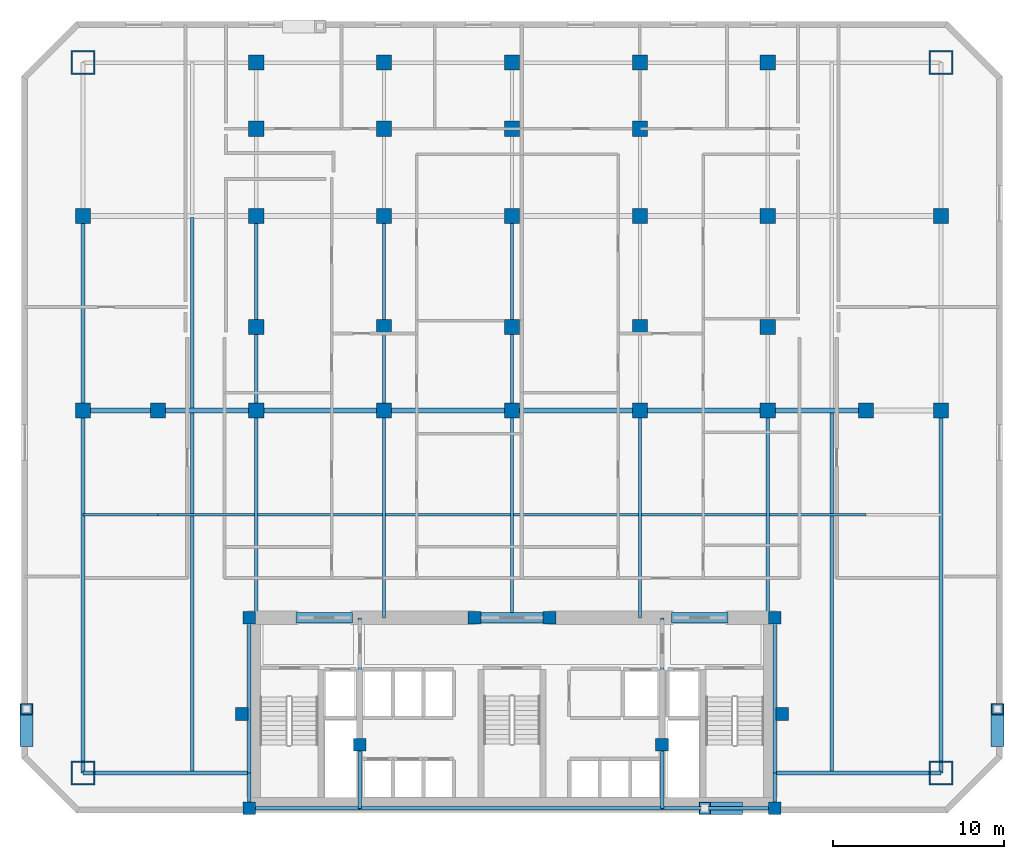
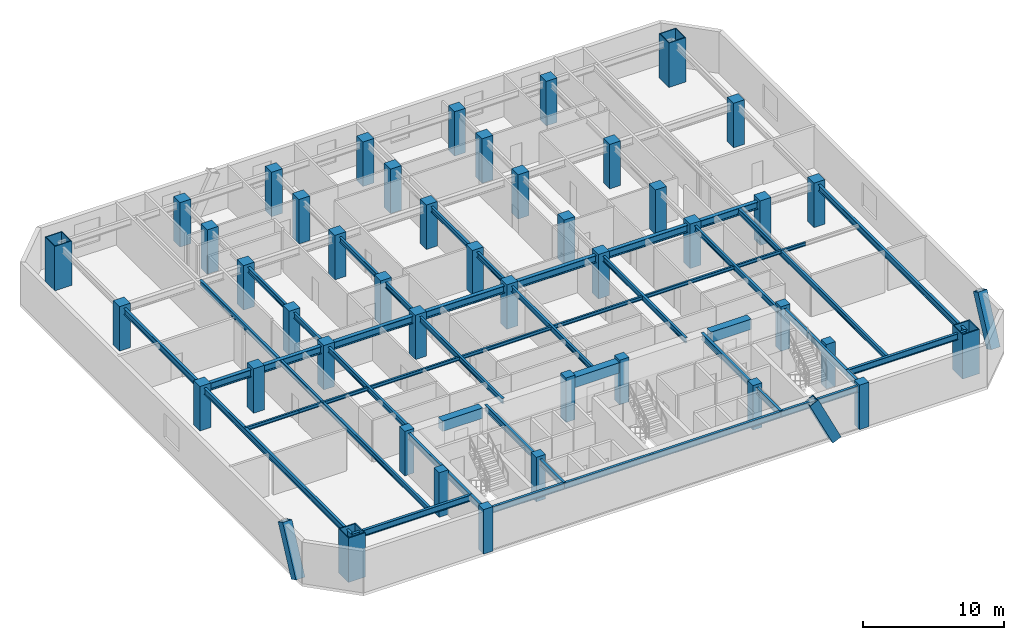
# One storey, part 1 of 8: 44 beams, 44 columns, 3 members.
"""IFC4 building model written with IfcOpenShell, lengths in metres."""

from ifc_helpers import new_model, si_unit, direction, frame, origin, origin_2d, place, context, subcontext, project, spatial, rectangle, hollow_rectangle, i_section, extrude, material, material_profile, profile_set, type_object, element, save


model = new_model("IFC4")

# Units and contexts
model_context = context("Model", 3, precision=1e-05, world=origin(), true_north=direction((0.0, 1.0)))
body_context = subcontext(model_context, "Body", "Model", "MODEL_VIEW")
ifc_project = project(units=[si_unit("LENGTHUNIT", "METRE"), si_unit("AREAUNIT", "SQUARE_METRE"), si_unit("VOLUMEUNIT", "CUBIC_METRE"), si_unit("PLANEANGLEUNIT", "RADIAN"), si_unit("MASSUNIT", "GRAM", prefix="KILO")], contexts=[model_context])

# Site, building, storey
site_placement = place(None, origin())
site = spatial("IfcSite", under=ifc_project, at=site_placement, CompositionType="ELEMENT")
building_placement = place(site_placement, origin())
building = spatial("IfcBuilding", under=site, at=building_placement, Name="Ventersveld Concourse Tower", CompositionType="ELEMENT")
storey_placement = place(building_placement, frame((0.0, 0.0, 33.64990234375)))
storey = spatial("IfcBuildingStorey", under=building, at=storey_placement, Name="L07", CompositionType="ELEMENT", Elevation=33.64990234375)

# Columns
ifc_material_1 = material(Name="Concrete C50/60", Category="concrete")
ifc_material_profile_1 = material_profile(ifc_material_1, rectangle(XDim=0.75, YDim=0.75, at=origin_2d()), Name="RC 750x750")
ifc_profile_set_1 = profile_set([ifc_material_profile_1], Name="Concrete C50/60")
column_type_1 = type_object("IfcColumnType", Name="COL-RC750", PredefinedType="COLUMN", material=ifc_profile_set_1)
for number, where, z_axis, x_axis, name in (
    (1, (13.35009765625, 0.280029296875, 0.0), (0.0, 0.0, 1.0), (1.0, 0.0, 0.0), "L07 Core Spine Column CC-SW"),
    (2, (44.14990234375, 0.280029296875, 0.0), (0.0, 0.0, 1.0), (1.0, 0.0, 0.0), "L07 Core Spine Column CC-SE"),
    (3, (13.35009765625, 11.449951171875, 0.0), (0.0, 0.0, 1.0), (1.0, 0.0, 0.0), "L07 Core Spine Column CC-NW"),
    (4, (44.14990234375, 11.449951171875, 0.0), (0.0, 0.0, 1.0), (1.0, 0.0, 0.0), "L07 Core Spine Column CC-NE"),
    (5, (19.820068359375, 4.0, 0.0), (0.0, 0.0, 1.0), (1.0, 0.0, 0.0), "L07 Core Spine Column CM-1"),
    (6, (37.550048828125, 4.0, 0.0), (0.0, 0.0, 1.0), (1.0, 0.0, 0.0), "L07 Core Spine Column CM-2"),
    (7, (26.550048828125, 11.449951171875, 0.0), (0.0, 0.0, 1.0), (1.0, 0.0, 0.0), "L07 Core Spine Column CM-3"),
    (8, (30.949951171875, 11.449951171875, 0.0), (0.0, 0.0, 1.0), (1.0, 0.0, 0.0), "L07 Core Spine Column CM-4"),
):
    element("IfcColumn", number, at=place(storey_placement, frame(where, z_axis=z_axis, x_axis=x_axis)), inside=storey, type_object=column_type_1, Name=name, PredefinedType="COLUMN", context=body_context, shape_type="SweptSolid", body=[
        extrude(rectangle(XDim=0.75, YDim=0.75, at=origin_2d()), origin(), (0.0, 0.0, 1.0), 3.85009765625),
    ])
ifc_material_2 = material(Name="Concrete C60/75", Category="concrete")
ifc_material_profile_2 = material_profile(ifc_material_2, rectangle(XDim=0.89990234375, YDim=0.89990234375, at=origin_2d()), Name="RC 900x900")
ifc_profile_set_2 = profile_set([ifc_material_profile_2], Name="Concrete C60/75")
column_type_2 = type_object("IfcColumnType", Name="COL-RC900", PredefinedType="COLUMN", material=ifc_profile_set_2)
for number, where, z_axis, x_axis, name in (
    (9, (3.60009765625, 23.60009765625, 0.0), (0.0, 0.0, 1.0), (1.0, 0.0, 0.0), "L07 Interior Gravity Column X=3.60 Y=23.60"),
    (10, (8.0, 23.60009765625, 0.0), (0.0, 0.0, 1.0), (1.0, 0.0, 0.0), "L07 Interior Gravity Column X=8.00 Y=23.60"),
    (11, (13.75, 23.60009765625, 0.0), (0.0, 0.0, 1.0), (1.0, 0.0, 0.0), "L07 Interior Gravity Column X=13.75 Y=23.60"),
    (12, (21.25, 23.60009765625, 0.0), (0.0, 0.0, 1.0), (1.0, 0.0, 0.0), "L07 Interior Gravity Column X=21.25 Y=23.60"),
    (13, (28.75, 23.60009765625, 0.0), (0.0, 0.0, 1.0), (1.0, 0.0, 0.0), "L07 Interior Gravity Column X=28.75 Y=23.60"),
    (14, (36.25, 23.60009765625, 0.0), (0.0, 0.0, 1.0), (1.0, 0.0, 0.0), "L07 Interior Gravity Column X=36.25 Y=23.60"),
    (15, (43.75, 23.60009765625, 0.0), (0.0, 0.0, 1.0), (1.0, 0.0, 0.0), "L07 Interior Gravity Column X=43.75 Y=23.60"),
    (16, (49.5, 23.60009765625, 0.0), (0.0, 0.0, 1.0), (1.0, 0.0, 0.0), "L07 Interior Gravity Column X=49.50 Y=23.60"),
    (17, (53.89990234375, 23.60009765625, 0.0), (0.0, 0.0, 1.0), (1.0, 0.0, 0.0), "L07 Interior Gravity Column X=53.90 Y=23.60"),
    (18, (13.75, 28.5, 0.0), (0.0, 0.0, 1.0), (1.0, 0.0, 0.0), "L07 Upper-North Gravity Column X=13.75 Y=28.50"),
    (19, (21.25, 28.5, 0.0), (0.0, 0.0, 1.0), (1.0, 0.0, 0.0), "L07 Upper-North Gravity Column X=21.25 Y=28.50"),
    (20, (28.75, 28.5, 0.0), (0.0, 0.0, 1.0), (1.0, 0.0, 0.0), "L07 Upper-North Gravity Column X=28.75 Y=28.50"),
    (21, (36.25, 28.5, 0.0), (0.0, 0.0, 1.0), (1.0, 0.0, 0.0), "L07 Upper-North Gravity Column X=36.25 Y=28.50"),
    (22, (43.75, 28.5, 0.0), (0.0, 0.0, 1.0), (1.0, 0.0, 0.0), "L07 Upper-North Gravity Column X=43.75 Y=28.50"),
    (23, (3.60009765625, 35.0, 0.0), (0.0, 0.0, 1.0), (1.0, 0.0, 0.0), "L07 Flank Column X=3.60 Y=35.00"),
    (24, (53.89990234375, 35.0, 0.0), (0.0, 0.0, 1.0), (1.0, 0.0, 0.0), "L07 Flank Column X=53.90 Y=35.00"),
    (25, (13.75, 44.0, 0.0), (0.0, 0.0, 1.0), (1.0, 0.0, 0.0), "L07 North Perimeter Column X=13.75 Y=44.00"),
    (26, (21.25, 44.0, 0.0), (0.0, 0.0, 1.0), (1.0, 0.0, 0.0), "L07 North Perimeter Column X=21.25 Y=44.00"),
    (27, (28.75, 44.0, 0.0), (0.0, 0.0, 1.0), (1.0, 0.0, 0.0), "L07 North Perimeter Column X=28.75 Y=44.00"),
    (28, (36.25, 44.0, 0.0), (0.0, 0.0, 1.0), (1.0, 0.0, 0.0), "L07 North Perimeter Column X=36.25 Y=44.00"),
    (29, (43.75, 44.0, 0.0), (0.0, 0.0, 1.0), (1.0, 0.0, 0.0), "L07 North Perimeter Column X=43.75 Y=44.00"),
    (30, (13.75, 40.1201171875, 0.0), (0.0, 0.0, 1.0), (1.0, 0.0, 0.0), "L07 North Brace Node Column X=13.75 Y=40.12"),
    (31, (21.25, 40.1201171875, 0.0), (0.0, 0.0, 1.0), (1.0, 0.0, 0.0), "L07 North Brace Node Column X=21.25 Y=40.12"),
    (32, (28.75, 40.1201171875, 0.0), (0.0, 0.0, 1.0), (1.0, 0.0, 0.0), "L07 North Brace Node Column X=28.75 Y=40.12"),
    (33, (36.25, 40.1201171875, 0.0), (0.0, 0.0, 1.0), (1.0, 0.0, 0.0), "L07 North Brace Node Column X=36.25 Y=40.12"),
    (34, (13.75, 35.0, 0.0), (0.0, 0.0, 1.0), (1.0, 0.0, 0.0), "L07 Mid-North Column X=13.75 Y=35.00"),
    (35, (21.25, 35.0, 0.0), (0.0, 0.0, 1.0), (1.0, 0.0, 0.0), "L07 Mid-North Column X=21.25 Y=35.00"),
    (36, (28.75, 35.0, 0.0), (0.0, 0.0, 1.0), (1.0, 0.0, 0.0), "L07 Mid-North Column X=28.75 Y=35.00"),
    (37, (36.25, 35.0, 0.0), (0.0, 0.0, 1.0), (1.0, 0.0, 0.0), "L07 Mid-North Column X=36.25 Y=35.00"),
    (38, (43.75, 35.0, 0.0), (0.0, 0.0, 1.0), (1.0, 0.0, 0.0), "L07 Mid-North Column X=43.75 Y=35.00"),
):
    element("IfcColumn", number, at=place(storey_placement, frame(where, z_axis=z_axis, x_axis=x_axis)), inside=storey, type_object=column_type_2, Name=name, PredefinedType="COLUMN", context=body_context, shape_type="SweptSolid", body=[
        extrude(rectangle(XDim=0.89990234375, YDim=0.89990234375, at=origin_2d()), origin(), (0.0, 0.0, 1.0), 3.85009765625),
    ])
ifc_material_3 = material(Name="Structural steel S460ML", Category="steel")
ifc_material_profile_3 = material_profile(ifc_material_3, hollow_rectangle(XDim=1.39990234375, YDim=1.39990234375, WallThickness=0.080078125, at=origin_2d()), Name="BOX 1400x1400x80")
ifc_profile_set_3 = profile_set([ifc_material_profile_3], Name="Structural steel S460ML")
column_type_3 = type_object("IfcColumnType", Name="MC-1400", PredefinedType="USERDEFINED", material=ifc_profile_set_3)
for number, where, z_axis, x_axis, name in (
    (39, (3.60009765625, 2.35009765625, 0.0), (0.0, 0.0, 1.0), (1.0, 0.0, 0.0), "L07 Corner Mega-Column MC-SW"),
    (40, (53.89990234375, 2.35009765625, 0.0), (0.0, 0.0, 1.0), (1.0, 0.0, 0.0), "L07 Corner Mega-Column MC-SE"),
    (41, (53.89990234375, 44.0, 0.0), (0.0, 0.0, 1.0), (1.0, 0.0, 0.0), "L07 Corner Mega-Column MC-NE"),
    (42, (3.60009765625, 44.0, 0.0), (0.0, 0.0, 1.0), (1.0, 0.0, 0.0), "L07 Corner Mega-Column MC-NW"),
):
    element("IfcColumn", number, at=place(storey_placement, frame(where, z_axis=z_axis, x_axis=x_axis)), inside=storey, type_object=column_type_3, Name=name, ObjectType="MEGA_COLUMN", PredefinedType="USERDEFINED", context=body_context, shape_type="SweptSolid", body=[
        extrude(hollow_rectangle(XDim=1.39990234375, YDim=1.39990234375, WallThickness=0.080078125, at=origin_2d()), origin(), (0.0, 0.0, 1.0), 3.85009765625),
    ])
ifc_material_profile_4 = material_profile(ifc_material_1, rectangle(XDim=0.75, YDim=0.75, at=origin_2d()), Name="RC 750x750")
ifc_profile_set_4 = profile_set([ifc_material_profile_4], Name="Concrete C50/60")
column_type_4 = type_object("IfcColumnType", Name="PIL-RC750", PredefinedType="PILASTER", material=ifc_profile_set_4)
for number, where, z_axis, x_axis, name in (
    (43, (12.89990234375, 5.800048828125, 0.0), (0.0, 0.0, 1.0), (1.0, 0.0, 0.0), "L07 Core Engaged Pilaster PIL-W"),
    (44, (44.60009765625, 5.800048828125, 0.0), (0.0, 0.0, 1.0), (1.0, 0.0, 0.0), "L07 Core Engaged Pilaster PIL-E"),
):
    element("IfcColumn", number, at=place(storey_placement, frame(where, z_axis=z_axis, x_axis=x_axis)), inside=storey, type_object=column_type_4, Name=name, PredefinedType="PILASTER", context=body_context, shape_type="SweptSolid", body=[
        extrude(rectangle(XDim=0.75, YDim=0.75, at=origin_2d()), origin(), (0.0, 0.0, 1.0), 3.85009765625),
    ])

# Beams
ifc_material_4 = material(Name="Structural steel S355J2", Category="steel")
ifc_material_profile_5 = material_profile(ifc_material_4, i_section(OverallWidth=0.19140625, OverallDepth=0.4599609375, WebThickness=0.010009765625, FlangeThickness=0.01611328125, FilletRadius=0.01025390625, at=origin_2d()), Name="UB 457x191x82")
ifc_profile_set_5 = profile_set([ifc_material_profile_5], Name="Structural steel S355J2")
beam_type_1 = type_object("IfcBeamType", Name="BM-UB457H", PredefinedType="BEAM", material=ifc_profile_set_5)
beam_1_placement = place(storey_placement, frame((10.0, 2.35009765625, 3.3701171875), z_axis=(0.0, 1.0, 0.0), x_axis=(-1.0, 0.0, 0.0)))
element("IfcBeam", 45, at=beam_1_placement, inside=storey, type_object=beam_type_1, Name="L07 N-S Composite Floor Beam South X=10.00", PredefinedType="BEAM", context=body_context, shape_type="SweptSolid", body=[
    extrude(i_section(OverallWidth=0.19140625, OverallDepth=0.4599609375, WebThickness=0.010009765625, FlangeThickness=0.01611328125, FilletRadius=0.01025390625, at=origin_2d()), origin(), (0.0, 0.0, 1.0), 21.15478515625),
])
beam_2_placement = place(storey_placement, frame((10.0, 23.695068359375, 3.3701171875), z_axis=(0.0, 1.0, 0.0), x_axis=(-1.0, 0.0, 0.0)))
element("IfcBeam", 46, at=beam_2_placement, inside=storey, type_object=beam_type_1, Name="L07 N-S Composite Floor Beam Mid X=10.00", PredefinedType="BEAM", context=body_context, shape_type="SweptSolid", body=[
    extrude(i_section(OverallWidth=0.19140625, OverallDepth=0.4599609375, WebThickness=0.010009765625, FlangeThickness=0.01611328125, FilletRadius=0.01025390625, at=origin_2d()), origin(), (0.0, 0.0, 1.0), 11.2099609375),
])
beam_3_placement = place(storey_placement, frame((13.75, 11.449951171875, 3.3701171875), z_axis=(0.0, 1.0, 0.0), x_axis=(-1.0, 0.0, 0.0)))
element("IfcBeam", 47, at=beam_3_placement, inside=storey, type_object=beam_type_1, Name="L07 N-S Composite Floor Beam South X=13.75", PredefinedType="BEAM", context=body_context, shape_type="SweptSolid", body=[
    extrude(i_section(OverallWidth=0.19140625, OverallDepth=0.4599609375, WebThickness=0.010009765625, FlangeThickness=0.01611328125, FilletRadius=0.01025390625, at=origin_2d()), origin(), (0.0, 0.0, 1.0), 12.150146484375),
])
beam_4_placement = place(storey_placement, frame((13.75, 23.60009765625, 3.3701171875), z_axis=(0.0, 1.0, 0.0), x_axis=(-1.0, 0.0, 0.0)))
element("IfcBeam", 48, at=beam_4_placement, inside=storey, type_object=beam_type_1, Name="L07 N-S Composite Floor Beam Mid X=13.75", PredefinedType="BEAM", context=body_context, shape_type="SweptSolid", body=[
    extrude(i_section(OverallWidth=0.19140625, OverallDepth=0.4599609375, WebThickness=0.010009765625, FlangeThickness=0.01611328125, FilletRadius=0.01025390625, at=origin_2d()), origin(), (0.0, 0.0, 1.0), 11.39990234375),
])
beam_5_placement = place(storey_placement, frame((21.25, 11.449951171875, 3.3701171875), z_axis=(0.0, 1.0, 0.0), x_axis=(-1.0, 0.0, 0.0)))
element("IfcBeam", 49, at=beam_5_placement, inside=storey, type_object=beam_type_1, Name="L07 N-S Composite Floor Beam South X=21.25", PredefinedType="BEAM", context=body_context, shape_type="SweptSolid", body=[
    extrude(i_section(OverallWidth=0.19140625, OverallDepth=0.4599609375, WebThickness=0.010009765625, FlangeThickness=0.01611328125, FilletRadius=0.01025390625, at=origin_2d()), origin(), (0.0, 0.0, 1.0), 12.150146484375),
])
beam_6_placement = place(storey_placement, frame((21.25, 23.60009765625, 3.3701171875), z_axis=(0.0, 1.0, 0.0), x_axis=(-1.0, 0.0, 0.0)))
element("IfcBeam", 50, at=beam_6_placement, inside=storey, type_object=beam_type_1, Name="L07 N-S Composite Floor Beam Mid X=21.25", PredefinedType="BEAM", context=body_context, shape_type="SweptSolid", body=[
    extrude(i_section(OverallWidth=0.19140625, OverallDepth=0.4599609375, WebThickness=0.010009765625, FlangeThickness=0.01611328125, FilletRadius=0.01025390625, at=origin_2d()), origin(), (0.0, 0.0, 1.0), 11.39990234375),
])
beam_7_placement = place(storey_placement, frame((28.75, 11.449951171875, 3.3701171875), z_axis=(0.0, 1.0, 0.0), x_axis=(-1.0, 0.0, 0.0)))
element("IfcBeam", 51, at=beam_7_placement, inside=storey, type_object=beam_type_1, Name="L07 N-S Composite Floor Beam South X=28.75", PredefinedType="BEAM", context=body_context, shape_type="SweptSolid", body=[
    extrude(i_section(OverallWidth=0.19140625, OverallDepth=0.4599609375, WebThickness=0.010009765625, FlangeThickness=0.01611328125, FilletRadius=0.01025390625, at=origin_2d()), origin(), (0.0, 0.0, 1.0), 12.150146484375),
])
beam_8_placement = place(storey_placement, frame((28.75, 23.60009765625, 3.3701171875), z_axis=(0.0, 1.0, 0.0), x_axis=(-1.0, 0.0, 0.0)))
element("IfcBeam", 52, at=beam_8_placement, inside=storey, type_object=beam_type_1, Name="L07 N-S Composite Floor Beam Mid X=28.75", PredefinedType="BEAM", context=body_context, shape_type="SweptSolid", body=[
    extrude(i_section(OverallWidth=0.19140625, OverallDepth=0.4599609375, WebThickness=0.010009765625, FlangeThickness=0.01611328125, FilletRadius=0.01025390625, at=origin_2d()), origin(), (0.0, 0.0, 1.0), 11.39990234375),
])
for number, where, z_axis, x_axis, name in (
    (53, (36.25, 11.449951171875, 3.3701171875), (0.0, 1.0, 0.0), (-1.0, 0.0, 0.0), "L07 N-S Composite Floor Beam South X=36.25"),
    (54, (43.75, 11.449951171875, 3.3701171875), (0.0, 1.0, 0.0), (-1.0, 0.0, 0.0), "L07 N-S Composite Floor Beam South X=43.75"),
):
    element("IfcBeam", number, at=place(storey_placement, frame(where, z_axis=z_axis, x_axis=x_axis)), inside=storey, type_object=beam_type_1, Name=name, PredefinedType="BEAM", context=body_context, shape_type="SweptSolid", body=[
        extrude(i_section(OverallWidth=0.19140625, OverallDepth=0.4599609375, WebThickness=0.010009765625, FlangeThickness=0.01611328125, FilletRadius=0.01025390625, at=origin_2d()), origin(), (0.0, 0.0, 1.0), 12.150146484375),
    ])
beam_9_placement = place(storey_placement, frame((47.5, 2.35009765625, 3.3701171875), z_axis=(0.0, 1.0, 0.0), x_axis=(-1.0, 0.0, 0.0)))
element("IfcBeam", 55, at=beam_9_placement, inside=storey, type_object=beam_type_1, Name="L07 N-S Composite Floor Beam South X=47.50", PredefinedType="BEAM", context=body_context, shape_type="SweptSolid", body=[
    extrude(i_section(OverallWidth=0.19140625, OverallDepth=0.4599609375, WebThickness=0.010009765625, FlangeThickness=0.01611328125, FilletRadius=0.01025390625, at=origin_2d()), origin(), (0.0, 0.0, 1.0), 21.15478515625),
])
ifc_material_profile_6 = material_profile(ifc_material_2, rectangle(XDim=0.60009765625, YDim=0.89990234375, at=origin_2d()), Name="RC 600x900")
ifc_profile_set_6 = profile_set([ifc_material_profile_6], Name="Concrete C60/75")
beam_type_2 = type_object("IfcBeamType", Name="CB-RC600x900L", PredefinedType="LINTEL", material=ifc_profile_set_6)
beam_10_placement = place(storey_placement, frame((16.10009765625, 11.449951171875, 3.150146484375), z_axis=(1.0, 0.0, 0.0), x_axis=(0.0, 1.0, 0.0)))
element("IfcBeam", 56, at=beam_10_placement, inside=storey, type_object=beam_type_2, Name="L07 Core Coupling Lintel Beam 1", PredefinedType="LINTEL", context=body_context, shape_type="SweptSolid", body=[
    extrude(rectangle(XDim=0.60009765625, YDim=0.89990234375, at=origin_2d()), origin(), (0.0, 0.0, 1.0), 3.2998046875),
])
beam_11_placement = place(storey_placement, frame((26.5, 11.449951171875, 3.150146484375), z_axis=(1.0, 0.0, 0.0), x_axis=(0.0, 1.0, 0.0)))
element("IfcBeam", 57, at=beam_11_placement, inside=storey, type_object=beam_type_2, Name="L07 Core Coupling Lintel Beam 2", PredefinedType="LINTEL", context=body_context, shape_type="SweptSolid", body=[
    extrude(rectangle(XDim=0.60009765625, YDim=0.89990234375, at=origin_2d()), origin(), (0.0, 0.0, 1.0), 4.5),
])
beam_12_placement = place(storey_placement, frame((38.10009765625, 11.449951171875, 3.150146484375), z_axis=(1.0, 0.0, 0.0), x_axis=(0.0, 1.0, 0.0)))
element("IfcBeam", 58, at=beam_12_placement, inside=storey, type_object=beam_type_2, Name="L07 Core Coupling Lintel Beam 3", PredefinedType="LINTEL", context=body_context, shape_type="SweptSolid", body=[
    extrude(rectangle(XDim=0.60009765625, YDim=0.89990234375, at=origin_2d()), origin(), (0.0, 0.0, 1.0), 3.2998046875),
])
ifc_material_profile_7 = material_profile(ifc_material_4, i_section(OverallWidth=0.2119140625, OverallDepth=0.54443359375, WebThickness=0.0126953125, FlangeThickness=0.021240234375, FilletRadius=0.0126953125, at=origin_2d()), Name="UB 533x210x122")
ifc_profile_set_7 = profile_set([ifc_material_profile_7], Name="Structural steel S355J2")
beam_type_3 = type_object("IfcBeamType", Name="GRD-UB533H", PredefinedType="T_BEAM", material=ifc_profile_set_7)
beam_13_placement = place(storey_placement, frame((13.35009765625, 0.280029296875, 3.327880859375), z_axis=(0.0, 1.0, 0.0), x_axis=(-1.0, 0.0, 0.0)))
element("IfcBeam", 59, at=beam_13_placement, inside=storey, type_object=beam_type_3, Name="L07 Core West Tie Beam S", PredefinedType="T_BEAM", context=body_context, shape_type="SweptSolid", body=[
    extrude(i_section(OverallWidth=0.2119140625, OverallDepth=0.54443359375, WebThickness=0.0126953125, FlangeThickness=0.021240234375, FilletRadius=0.0126953125, at=origin_2d()), origin(), (0.0, 0.0, 1.0), 2.070068359375),
])
beam_14_placement = place(storey_placement, frame((13.35009765625, 2.35009765625, 3.327880859375), z_axis=(0.0, 1.0, 0.0), x_axis=(-1.0, 0.0, 0.0)))
element("IfcBeam", 60, at=beam_14_placement, inside=storey, type_object=beam_type_3, Name="L07 Core West Tie Beam N", PredefinedType="T_BEAM", context=body_context, shape_type="SweptSolid", body=[
    extrude(i_section(OverallWidth=0.2119140625, OverallDepth=0.54443359375, WebThickness=0.0126953125, FlangeThickness=0.021240234375, FilletRadius=0.0126953125, at=origin_2d()), origin(), (0.0, 0.0, 1.0), 9.099853515625),
])
beam_15_placement = place(storey_placement, frame((44.14990234375, 0.280029296875, 3.327880859375), z_axis=(0.0, 1.0, 0.0), x_axis=(-1.0, 0.0, 0.0)))
element("IfcBeam", 61, at=beam_15_placement, inside=storey, type_object=beam_type_3, Name="L07 Core East Tie Beam S", PredefinedType="T_BEAM", context=body_context, shape_type="SweptSolid", body=[
    extrude(i_section(OverallWidth=0.2119140625, OverallDepth=0.54443359375, WebThickness=0.0126953125, FlangeThickness=0.021240234375, FilletRadius=0.0126953125, at=origin_2d()), origin(), (0.0, 0.0, 1.0), 2.070068359375),
])
beam_16_placement = place(storey_placement, frame((44.14990234375, 2.35009765625, 3.327880859375), z_axis=(0.0, 1.0, 0.0), x_axis=(-1.0, 0.0, 0.0)))
element("IfcBeam", 62, at=beam_16_placement, inside=storey, type_object=beam_type_3, Name="L07 Core East Tie Beam N", PredefinedType="T_BEAM", context=body_context, shape_type="SweptSolid", body=[
    extrude(i_section(OverallWidth=0.2119140625, OverallDepth=0.54443359375, WebThickness=0.0126953125, FlangeThickness=0.021240234375, FilletRadius=0.0126953125, at=origin_2d()), origin(), (0.0, 0.0, 1.0), 9.099853515625),
])
beam_17_placement = place(storey_placement, frame((13.35009765625, 0.280029296875, 3.327880859375), z_axis=(1.0, 0.0, 0.0), x_axis=(0.0, 1.0, 0.0)))
element("IfcBeam", 63, at=beam_17_placement, inside=storey, type_object=beam_type_3, Name="L07 Core South Tie Beam W", PredefinedType="T_BEAM", context=body_context, shape_type="SweptSolid", body=[
    extrude(i_section(OverallWidth=0.2119140625, OverallDepth=0.54443359375, WebThickness=0.0126953125, FlangeThickness=0.021240234375, FilletRadius=0.0126953125, at=origin_2d()), origin(), (0.0, 0.0, 1.0), 6.469970703125),
])
beam_18_placement = place(storey_placement, frame((19.820068359375, 0.280029296875, 3.327880859375), z_axis=(1.0, 0.0, 0.0), x_axis=(0.0, 1.0, 0.0)))
element("IfcBeam", 64, at=beam_18_placement, inside=storey, type_object=beam_type_3, Name="L07 Core South Tie Beam C", PredefinedType="T_BEAM", context=body_context, shape_type="SweptSolid", body=[
    extrude(i_section(OverallWidth=0.2119140625, OverallDepth=0.54443359375, WebThickness=0.0126953125, FlangeThickness=0.021240234375, FilletRadius=0.0126953125, at=origin_2d()), origin(), (0.0, 0.0, 1.0), 17.72998046875),
])
beam_19_placement = place(storey_placement, frame((37.550048828125, 0.280029296875, 3.327880859375), z_axis=(1.0, 0.0, 0.0), x_axis=(0.0, 1.0, 0.0)))
element("IfcBeam", 65, at=beam_19_placement, inside=storey, type_object=beam_type_3, Name="L07 Core South Tie Beam E", PredefinedType="T_BEAM", context=body_context, shape_type="SweptSolid", body=[
    extrude(i_section(OverallWidth=0.2119140625, OverallDepth=0.54443359375, WebThickness=0.0126953125, FlangeThickness=0.021240234375, FilletRadius=0.0126953125, at=origin_2d()), origin(), (0.0, 0.0, 1.0), 6.599853515625),
])
beam_20_placement = place(storey_placement, frame((19.820068359375, 0.280029296875, 3.327880859375), z_axis=(0.0, 1.0, 0.0), x_axis=(-1.0, 0.0, 0.0)))
element("IfcBeam", 66, at=beam_20_placement, inside=storey, type_object=beam_type_3, Name="L07 Core Spine N-S Tie Beam W1", PredefinedType="T_BEAM", context=body_context, shape_type="SweptSolid", body=[
    extrude(i_section(OverallWidth=0.2119140625, OverallDepth=0.54443359375, WebThickness=0.0126953125, FlangeThickness=0.021240234375, FilletRadius=0.0126953125, at=origin_2d()), origin(), (0.0, 0.0, 1.0), 3.719970703125),
])
beam_21_placement = place(storey_placement, frame((19.820068359375, 4.0, 3.327880859375), z_axis=(0.0, 1.0, 0.0), x_axis=(-1.0, 0.0, 0.0)))
element("IfcBeam", 67, at=beam_21_placement, inside=storey, type_object=beam_type_3, Name="L07 Core Spine N-S Tie Beam W2", PredefinedType="T_BEAM", context=body_context, shape_type="SweptSolid", body=[
    extrude(i_section(OverallWidth=0.2119140625, OverallDepth=0.54443359375, WebThickness=0.0126953125, FlangeThickness=0.021240234375, FilletRadius=0.0126953125, at=origin_2d()), origin(), (0.0, 0.0, 1.0), 7.449951171875),
])
beam_22_placement = place(storey_placement, frame((37.550048828125, 0.280029296875, 3.327880859375), z_axis=(0.0, 1.0, 0.0), x_axis=(-1.0, 0.0, 0.0)))
element("IfcBeam", 68, at=beam_22_placement, inside=storey, type_object=beam_type_3, Name="L07 Core Spine N-S Tie Beam E1", PredefinedType="T_BEAM", context=body_context, shape_type="SweptSolid", body=[
    extrude(i_section(OverallWidth=0.2119140625, OverallDepth=0.54443359375, WebThickness=0.0126953125, FlangeThickness=0.021240234375, FilletRadius=0.0126953125, at=origin_2d()), origin(), (0.0, 0.0, 1.0), 3.719970703125),
])
beam_23_placement = place(storey_placement, frame((37.550048828125, 4.0, 3.327880859375), z_axis=(0.0, 1.0, 0.0), x_axis=(-1.0, 0.0, 0.0)))
element("IfcBeam", 69, at=beam_23_placement, inside=storey, type_object=beam_type_3, Name="L07 Core Spine N-S Tie Beam E2", PredefinedType="T_BEAM", context=body_context, shape_type="SweptSolid", body=[
    extrude(i_section(OverallWidth=0.2119140625, OverallDepth=0.54443359375, WebThickness=0.0126953125, FlangeThickness=0.021240234375, FilletRadius=0.0126953125, at=origin_2d()), origin(), (0.0, 0.0, 1.0), 7.449951171875),
])
ifc_material_profile_8 = material_profile(ifc_material_4, i_section(OverallWidth=0.311279296875, OverallDepth=0.6357421875, WebThickness=0.018310546875, FlangeThickness=0.031494140625, FilletRadius=0.0166015625, at=origin_2d()), Name="UB 610x305x238")
ifc_profile_set_8 = profile_set([ifc_material_profile_8], Name="Structural steel S355J2")
beam_type_4 = type_object("IfcBeamType", Name="GRD-UB610H", PredefinedType="USERDEFINED", material=ifc_profile_set_8)
beam_24_placement = place(storey_placement, frame((3.60009765625, 23.60009765625, 3.2822265625), z_axis=(1.0, 0.0, 0.0), x_axis=(0.0, 1.0, 0.0)))
element("IfcBeam", 70, at=beam_24_placement, inside=storey, type_object=beam_type_4, Name="L07 Primary E-W Grid Girder Y=23.60 #1", ObjectType="GIRDER", PredefinedType="USERDEFINED", context=body_context, shape_type="SweptSolid", body=[
    extrude(i_section(OverallWidth=0.311279296875, OverallDepth=0.6357421875, WebThickness=0.018310546875, FlangeThickness=0.031494140625, FilletRadius=0.0166015625, at=origin_2d()), origin(), (0.0, 0.0, 1.0), 4.39990234375),
])
beam_25_placement = place(storey_placement, frame((8.0, 23.60009765625, 3.2822265625), z_axis=(1.0, 0.0, 0.0), x_axis=(0.0, 1.0, 0.0)))
element("IfcBeam", 71, at=beam_25_placement, inside=storey, type_object=beam_type_4, Name="L07 Primary E-W Grid Girder Y=23.60 #2", ObjectType="GIRDER", PredefinedType="USERDEFINED", context=body_context, shape_type="SweptSolid", body=[
    extrude(i_section(OverallWidth=0.311279296875, OverallDepth=0.6357421875, WebThickness=0.018310546875, FlangeThickness=0.031494140625, FilletRadius=0.0166015625, at=origin_2d()), origin(), (0.0, 0.0, 1.0), 5.75),
])
for number, where, z_axis, x_axis, name in (
    (72, (13.75, 23.60009765625, 3.2822265625), (1.0, 0.0, 0.0), (0.0, 1.0, 0.0), "L07 Primary E-W Grid Girder Y=23.60 #3"),
    (73, (21.25, 23.60009765625, 3.2822265625), (1.0, 0.0, 0.0), (0.0, 1.0, 0.0), "L07 Primary E-W Grid Girder Y=23.60 #4"),
    (74, (28.75, 23.60009765625, 3.2822265625), (1.0, 0.0, 0.0), (0.0, 1.0, 0.0), "L07 Primary E-W Grid Girder Y=23.60 #5"),
    (75, (36.25, 23.60009765625, 3.2822265625), (1.0, 0.0, 0.0), (0.0, 1.0, 0.0), "L07 Primary E-W Grid Girder Y=23.60 #6"),
):
    element("IfcBeam", number, at=place(storey_placement, frame(where, z_axis=z_axis, x_axis=x_axis)), inside=storey, type_object=beam_type_4, Name=name, ObjectType="GIRDER", PredefinedType="USERDEFINED", context=body_context, shape_type="SweptSolid", body=[
        extrude(i_section(OverallWidth=0.311279296875, OverallDepth=0.6357421875, WebThickness=0.018310546875, FlangeThickness=0.031494140625, FilletRadius=0.0166015625, at=origin_2d()), origin(), (0.0, 0.0, 1.0), 7.5),
    ])
beam_26_placement = place(storey_placement, frame((43.75, 23.60009765625, 3.2822265625), z_axis=(1.0, 0.0, 0.0), x_axis=(0.0, 1.0, 0.0)))
element("IfcBeam", 76, at=beam_26_placement, inside=storey, type_object=beam_type_4, Name="L07 Primary E-W Grid Girder Y=23.60 #7", ObjectType="GIRDER", PredefinedType="USERDEFINED", context=body_context, shape_type="SweptSolid", body=[
    extrude(i_section(OverallWidth=0.311279296875, OverallDepth=0.6357421875, WebThickness=0.018310546875, FlangeThickness=0.031494140625, FilletRadius=0.0166015625, at=origin_2d()), origin(), (0.0, 0.0, 1.0), 5.75),
])
ifc_material_profile_9 = material_profile(ifc_material_4, i_section(OverallWidth=0.14990234375, OverallDepth=0.300048828125, WebThickness=0.007080078125, FlangeThickness=0.0107421875, FilletRadius=0.014892578125, at=origin_2d()), Name="IPE 300")
ifc_profile_set_9 = profile_set([ifc_material_profile_9], Name="Structural steel S355J2")
beam_type_5 = type_object("IfcBeamType", Name="JST-IPE300", PredefinedType="JOIST", material=ifc_profile_set_9)
beam_27_placement = place(storey_placement, frame((3.60009765625, 17.5, 3.4501953125), z_axis=(1.0, 0.0, 0.0), x_axis=(0.0, 1.0, 0.0)))
element("IfcBeam", 77, at=beam_27_placement, inside=storey, type_object=beam_type_5, Name="L07 Secondary E-W Floor Joist Y=17.50 #1", PredefinedType="JOIST", context=body_context, shape_type="SweptSolid", body=[
    extrude(i_section(OverallWidth=0.14990234375, OverallDepth=0.300048828125, WebThickness=0.007080078125, FlangeThickness=0.0107421875, FilletRadius=0.014892578125, at=origin_2d()), origin(), (0.0, 0.0, 1.0), 4.39990234375),
])
beam_28_placement = place(storey_placement, frame((8.0, 17.5, 3.4501953125), z_axis=(1.0, 0.0, 0.0), x_axis=(0.0, 1.0, 0.0)))
element("IfcBeam", 78, at=beam_28_placement, inside=storey, type_object=beam_type_5, Name="L07 Secondary E-W Floor Joist Y=17.50 #2", PredefinedType="JOIST", context=body_context, shape_type="SweptSolid", body=[
    extrude(i_section(OverallWidth=0.14990234375, OverallDepth=0.300048828125, WebThickness=0.007080078125, FlangeThickness=0.0107421875, FilletRadius=0.014892578125, at=origin_2d()), origin(), (0.0, 0.0, 1.0), 5.657958984375),
])
for number, where, z_axis, x_axis, name in (
    (79, (13.842041015625, 17.5, 3.4501953125), (1.0, 0.0, 0.0), (0.0, 1.0, 0.0), "L07 Secondary E-W Floor Joist Y=17.50 #3"),
    (80, (21.342041015625, 17.5, 3.4501953125), (1.0, 0.0, 0.0), (0.0, 1.0, 0.0), "L07 Secondary E-W Floor Joist Y=17.50 #4"),
    (81, (28.842041015625, 17.5, 3.4501953125), (1.0, 0.0, 0.0), (0.0, 1.0, 0.0), "L07 Secondary E-W Floor Joist Y=17.50 #5"),
    (82, (36.342041015625, 17.5, 3.4501953125), (1.0, 0.0, 0.0), (0.0, 1.0, 0.0), "L07 Secondary E-W Floor Joist Y=17.50 #6"),
):
    element("IfcBeam", number, at=place(storey_placement, frame(where, z_axis=z_axis, x_axis=x_axis)), inside=storey, type_object=beam_type_5, Name=name, PredefinedType="JOIST", context=body_context, shape_type="SweptSolid", body=[
        extrude(i_section(OverallWidth=0.14990234375, OverallDepth=0.300048828125, WebThickness=0.007080078125, FlangeThickness=0.0107421875, FilletRadius=0.014892578125, at=origin_2d()), origin(), (0.0, 0.0, 1.0), 7.31591796875),
    ])
beam_29_placement = place(storey_placement, frame((43.842041015625, 17.5, 3.4501953125), z_axis=(1.0, 0.0, 0.0), x_axis=(0.0, 1.0, 0.0)))
element("IfcBeam", 83, at=beam_29_placement, inside=storey, type_object=beam_type_5, Name="L07 Secondary E-W Floor Joist Y=17.50 #7", PredefinedType="JOIST", context=body_context, shape_type="SweptSolid", body=[
    extrude(i_section(OverallWidth=0.14990234375, OverallDepth=0.300048828125, WebThickness=0.007080078125, FlangeThickness=0.0107421875, FilletRadius=0.014892578125, at=origin_2d()), origin(), (0.0, 0.0, 1.0), 5.657958984375),
])

# Members
ifc_material_5 = material(Name="Structural steel S355ML", Category="steel")
ifc_material_profile_10 = material_profile(ifc_material_5, hollow_rectangle(XDim=0.75, YDim=0.75, WallThickness=0.044921875, at=origin_2d()), Name="BOX 750x750x45")
ifc_profile_set_10 = profile_set([ifc_material_profile_10], Name="Structural steel S355ML")
member_type = type_object("IfcMemberType", Name="MB-750x750", PredefinedType="BRACE", material=ifc_profile_set_10)
for number, where, z_axis, x_axis, name in (
    (84, (41.925048828125, 0.280029296875, -0.25), (-0.437839464193, 0.0, 0.899053170616), (0.0, -1.0, 0.0), "L07 Exterior Mega-Brace S (Module M01)"),
    (85, (0.280029296875, 4.22509765625, -0.25), (0.0, 0.437839464193, 0.899053170616), (-1.0, 0.0, 0.0), "L07 Exterior Mega-Brace W (Module M01)"),
    (86, (57.219970703125, 4.22509765625, -0.25), (0.0, 0.437839464193, 0.899053170616), (-1.0, 0.0, 0.0), "L07 Exterior Mega-Brace E (Module M01)"),
):
    element("IfcMember", number, at=place(storey_placement, frame(where, z_axis=z_axis, x_axis=x_axis)), inside=storey, type_object=member_type, Name=name, PredefinedType="BRACE", context=body_context, shape_type="SweptSolid", body=[
        extrude(hollow_rectangle(XDim=0.75, YDim=0.75, WallThickness=0.044921875, at=origin_2d()), origin(), (0.0, 0.0, 1.0), 4.282470703125),
    ])

# Beams
ifc_material_profile_11 = material_profile(ifc_material_4, i_section(OverallWidth=0.2119140625, OverallDepth=0.54443359375, WebThickness=0.0126953125, FlangeThickness=0.021240234375, FilletRadius=0.0126953125, at=origin_2d()), Name="UB 533x210x122")
ifc_profile_set_11 = profile_set([ifc_material_profile_11], Name="Structural steel S355J2")
beam_type_6 = type_object("IfcBeamType", Name="SPD-UB533", PredefinedType="SPANDREL", material=ifc_profile_set_11)
for number, where, z_axis, x_axis, name in (
    (87, (3.60009765625, 2.35009765625, 3.327880859375), (1.0, 0.0, 0.0), (0.0, 1.0, 0.0), "L07 SW Spandrel Beam"),
    (88, (44.14990234375, 2.35009765625, 3.327880859375), (1.0, 0.0, 0.0), (0.0, 1.0, 0.0), "L07 SE Spandrel Beam"),
):
    element("IfcBeam", number, at=place(storey_placement, frame(where, z_axis=z_axis, x_axis=x_axis)), inside=storey, type_object=beam_type_6, Name=name, PredefinedType="SPANDREL", context=body_context, shape_type="SweptSolid", body=[
        extrude(i_section(OverallWidth=0.2119140625, OverallDepth=0.54443359375, WebThickness=0.0126953125, FlangeThickness=0.021240234375, FilletRadius=0.0126953125, at=origin_2d()), origin(), (0.0, 0.0, 1.0), 9.75),
    ])
beam_30_placement = place(storey_placement, frame((3.60009765625, 2.35009765625, 3.327880859375), z_axis=(0.0, 1.0, 0.0), x_axis=(-1.0, 0.0, 0.0)))
element("IfcBeam", 89, at=beam_30_placement, inside=storey, type_object=beam_type_6, Name="L07 West Spandrel Beam S", PredefinedType="SPANDREL", context=body_context, shape_type="SweptSolid", body=[
    extrude(i_section(OverallWidth=0.2119140625, OverallDepth=0.54443359375, WebThickness=0.0126953125, FlangeThickness=0.021240234375, FilletRadius=0.0126953125, at=origin_2d()), origin(), (0.0, 0.0, 1.0), 21.25),
])
beam_31_placement = place(storey_placement, frame((3.60009765625, 23.60009765625, 3.327880859375), z_axis=(0.0, 1.0, 0.0), x_axis=(-1.0, 0.0, 0.0)))
element("IfcBeam", 90, at=beam_31_placement, inside=storey, type_object=beam_type_6, Name="L07 West Spandrel Beam M", PredefinedType="SPANDREL", context=body_context, shape_type="SweptSolid", body=[
    extrude(i_section(OverallWidth=0.2119140625, OverallDepth=0.54443359375, WebThickness=0.0126953125, FlangeThickness=0.021240234375, FilletRadius=0.0126953125, at=origin_2d()), origin(), (0.0, 0.0, 1.0), 11.39990234375),
])
beam_32_placement = place(storey_placement, frame((53.89990234375, 2.35009765625, 3.327880859375), z_axis=(0.0, 1.0, 0.0), x_axis=(-1.0, 0.0, 0.0)))
element("IfcBeam", 91, at=beam_32_placement, inside=storey, type_object=beam_type_6, Name="L07 East Spandrel Beam S", PredefinedType="SPANDREL", context=body_context, shape_type="SweptSolid", body=[
    extrude(i_section(OverallWidth=0.2119140625, OverallDepth=0.54443359375, WebThickness=0.0126953125, FlangeThickness=0.021240234375, FilletRadius=0.0126953125, at=origin_2d()), origin(), (0.0, 0.0, 1.0), 21.25),
])

save(model, "model.ifc")
